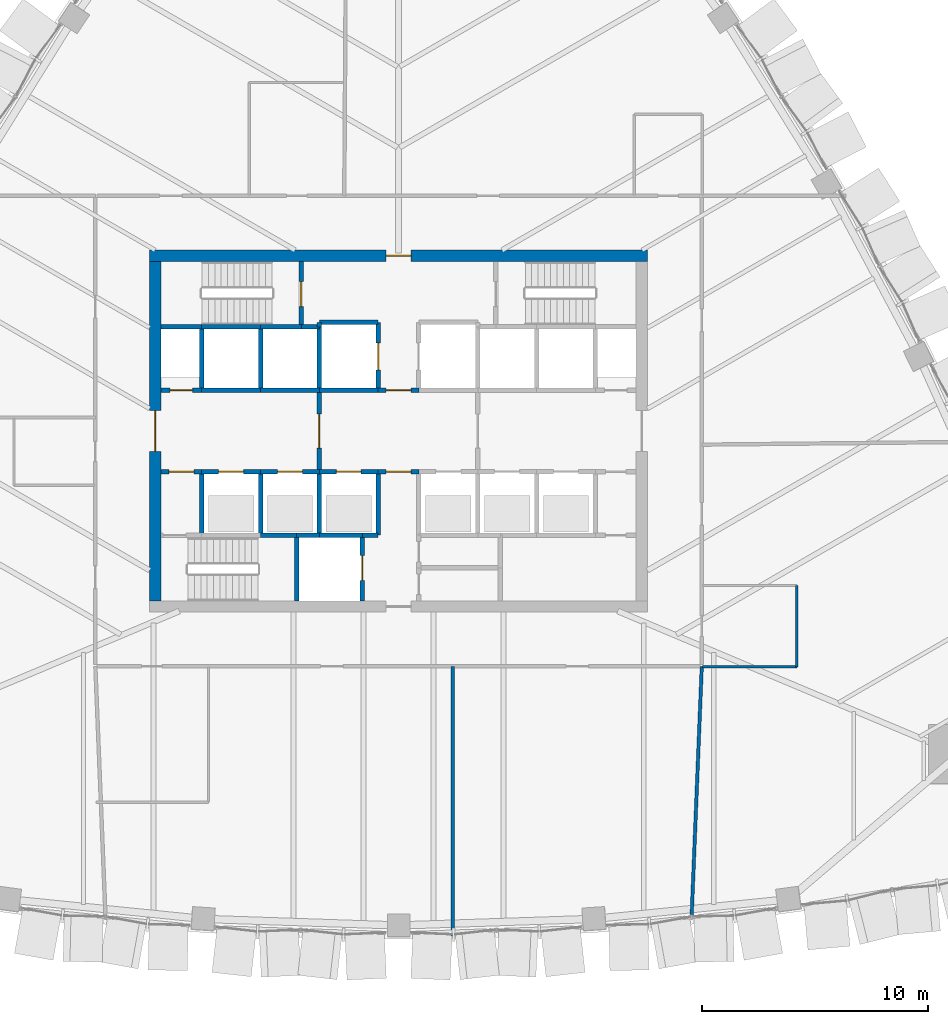
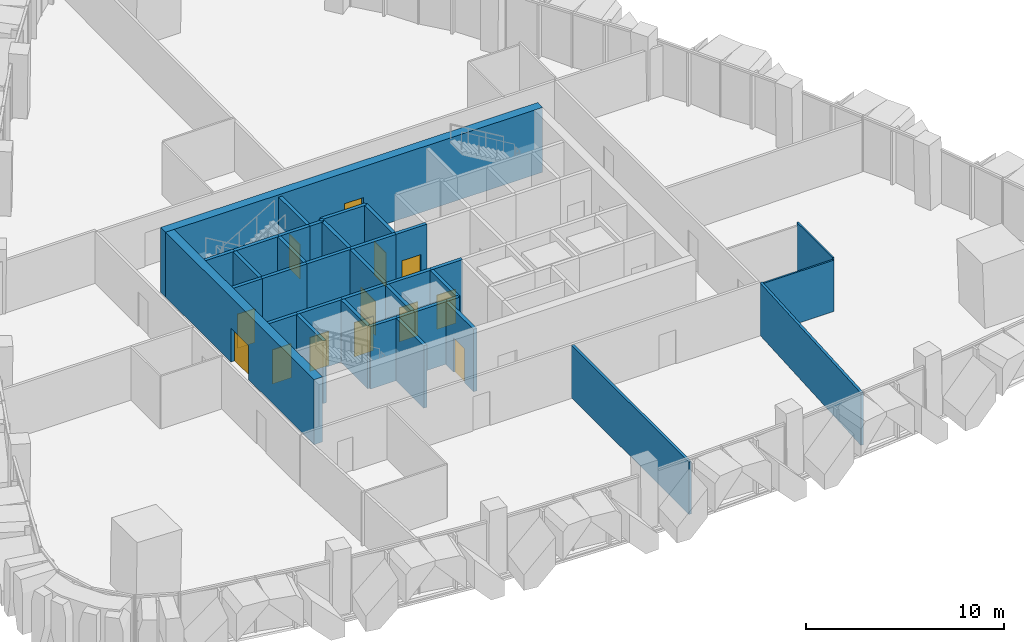
# One storey, part 12 of 18: 38 walls, 13 doors, 13 openings.
"""IFC4 building model written with IfcOpenShell, lengths in metres."""

from ifc_helpers import new_model, si_unit, direction, frame, frame_2d, origin, place, context, subcontext, project, spatial, rectangle, extrude, material, layer, layer_set, type_object, element, fill, save


model = new_model("IFC4")

# Units and contexts
model_context = context("Model", 3, precision=1e-05, world=origin(), true_north=direction((0.0, 1.0)))
body_context = subcontext(model_context, "Body", "Model", "MODEL_VIEW")
ifc_project = project(units=[si_unit("LENGTHUNIT", "METRE"), si_unit("AREAUNIT", "SQUARE_METRE"), si_unit("VOLUMEUNIT", "CUBIC_METRE"), si_unit("PLANEANGLEUNIT", "RADIAN"), si_unit("MASSUNIT", "GRAM", prefix="KILO")], contexts=[model_context])

# Site, building, storey
site_placement = place(None, origin())
site = spatial("IfcSite", under=ifc_project, at=site_placement, CompositionType="ELEMENT")
building_placement = place(site_placement, origin())
building = spatial("IfcBuilding", under=site, at=building_placement, Name="Sierra Prisma Convention Tower", CompositionType="ELEMENT")
storey_placement = place(building_placement, frame((0.0, 0.0, 137.800048828125)))
storey = spatial("IfcBuildingStorey", under=building, at=storey_placement, Name="L29", CompositionType="ELEMENT", Elevation=137.800048828125)

# Walls
ifc_material_1 = material(Name="Gypsum board partition", Category="gypsum")
ifc_layer_1 = layer(ifc_material_1, 0.10009765625)
ifc_layer_set_1 = layer_set([ifc_layer_1], Name="Bathroom partition 100")
wall_type_1 = type_object("IfcWallType", Name="Bathroom partition 100", PredefinedType="PARTITIONING", material=ifc_layer_set_1)
wall_1_placement = place(storey_placement, frame((17.60009765625, -6.820068359375, 0.0), z_axis=(0.0, 0.0, 1.0), x_axis=(0.0, -1.0, 0.0)))
element("IfcWall", 1, at=wall_1_placement, inside=storey, type_object=wall_type_1, Name="Partition L29 bath 11", PredefinedType="PARTITIONING", context=body_context, shape_type="SweptSolid", body=[
    extrude(rectangle(XDim=3.599853515625, YDim=0.10009765625, at=frame_2d((1.7998046875, 0.0))), origin(), (0.0, 0.0, 1.0), 3.300048828125),
])
wall_2_placement = place(storey_placement, frame((17.60009765625, -10.419921875, 0.0), z_axis=(0.0, 0.0, 1.0), x_axis=(-1.0, 0.0, 0.0)))
element("IfcWall", 2, at=wall_2_placement, inside=storey, type_object=wall_type_1, Name="Partition L29 bath 12", PredefinedType="PARTITIONING", context=body_context, shape_type="SweptSolid", body=[
    extrude(rectangle(XDim=4.170166015625, YDim=0.10009765625, at=frame_2d((2.0849609375, 0.0))), origin(), (0.0, 0.0, 1.0), 3.166015625),
])

# Wall, opening, door
ifc_material_2 = material(Name="Concrete C30/37", Category="concrete")
ifc_layer_2 = layer(ifc_material_2, 0.199951171875)
ifc_layer_set_2 = layer_set([ifc_layer_2], Name="Core wall RC 200 C30/37")
wall_type_2 = type_object("IfcWallType", Name="Core wall RC 200 C30/37", PredefinedType="SOLIDWALL", material=ifc_layer_set_2)
wall_3_placement = place(storey_placement, frame((-10.5, -1.800048828125, 0.0), z_axis=(0.0, 0.0, 1.0), x_axis=(1.0, 0.0, 0.0)))
wall_3 = element("IfcWall", 3, at=wall_3_placement, inside=storey, type_object=wall_type_2, Name="Core wall L29 2", PredefinedType="SOLIDWALL", context=body_context, shape_type="SweptSolid", body=[
    extrude(rectangle(XDim=1.800048828125, YDim=0.199951171875, at=frame_2d((0.89990234375, 0.0))), origin(), (0.0, 0.0, 1.0), 3.849853515625),
])
opening_1_placement = place(wall_3_placement, frame((0.35009765625, 0.0, 0.0)))
opening_1 = element("IfcOpeningElement", 4, at=opening_1_placement, cuts=wall_3, Name="Opening L29-D012", PredefinedType="OPENING", context=body_context, shape_type="SweptSolid", body=[
    extrude(rectangle(XDim=1.10009765625, YDim=2.10009765625, at=frame_2d((0.550048828125, 1.050048828125))), frame((0.0, 0.10009765625, 0.0), z_axis=(0.0, -1.0, 0.0), x_axis=(1.0, 0.0, 0.0)), (0.0, 0.0, 1.0), 0.199951171875),
])
ifc_material_3 = material(Name="Steel fire door leaf", Category="steel")
door_type_1 = type_object("IfcDoorType", Name="Door 1100x2100 FD90S", OperationType="SINGLE_SWING_LEFT", PredefinedType="DOOR", material=ifc_material_3)
door_1_placement = place(opening_1_placement, origin())
door_1 = element("IfcDoor", 5, at=door_1_placement, inside=storey, type_object=door_type_1, Name="Door L29 25", OperationType="SINGLE_SWING_RIGHT", OverallHeight=2.10009765625, OverallWidth=1.10009765625, PredefinedType="DOOR", context=body_context, shape_type="SweptSolid", body=[
    extrude(rectangle(XDim=1.10009765625, YDim=2.10009765625, at=frame_2d((0.550048828125, 1.050048828125))), frame((0.0, 0.02490234375, 0.0), z_axis=(0.0, -1.0, 0.0), x_axis=(1.0, 0.0, 0.0)), (0.0, 0.0, 1.0), 0.050048828125),
])
fill(opening_1, door_1)

wall_4_placement = place(storey_placement, frame((-8.699951171875, 1.800048828125, 0.0), z_axis=(0.0, 0.0, 1.0), x_axis=(-1.0, 0.0, 0.0)))
wall_4 = element("IfcWall", 6, at=wall_4_placement, inside=storey, type_object=wall_type_2, Name="Core wall L29 3", PredefinedType="SOLIDWALL", context=body_context, shape_type="SweptSolid", body=[
    extrude(rectangle(XDim=1.800048828125, YDim=0.199951171875, at=frame_2d((0.89990234375, 0.0))), origin(), (0.0, 0.0, 1.0), 3.849853515625),
])
opening_2_placement = place(wall_4_placement, frame((0.39990234375, 0.0, 0.0)))
opening_2 = element("IfcOpeningElement", 7, at=opening_2_placement, cuts=wall_4, Name="Opening L29-D015", PredefinedType="OPENING", context=body_context, shape_type="SweptSolid", body=[
    extrude(rectangle(XDim=1.0, YDim=2.10009765625, at=frame_2d((0.5, 1.050048828125))), frame((0.0, 0.10009765625, 0.0), z_axis=(0.0, -1.0, 0.0), x_axis=(1.0, 0.0, 0.0)), (0.0, 0.0, 1.0), 0.199951171875),
])
ifc_material_4 = material(Name="Steel fire door leaf", Category="steel")
door_type_2 = type_object("IfcDoorType", Name="Door 1000x2100 FD60S", OperationType="SINGLE_SWING_LEFT", PredefinedType="DOOR", material=ifc_material_4)
door_2_placement = place(opening_2_placement, origin())
door_2 = element("IfcDoor", 8, at=door_2_placement, inside=storey, type_object=door_type_2, Name="Door L29 28", OperationType="SINGLE_SWING_LEFT", OverallHeight=2.10009765625, OverallWidth=1.0, PredefinedType="DOOR", context=body_context, shape_type="SweptSolid", body=[
    extrude(rectangle(XDim=1.0, YDim=2.10009765625, at=frame_2d((0.5, 1.050048828125))), frame((0.0, 0.02490234375, 0.0), z_axis=(0.0, -1.0, 0.0), x_axis=(1.0, 0.0, 0.0)), (0.0, 0.0, 1.0), 0.050048828125),
])
fill(opening_2, door_2)

# Walls
wall_5_placement = place(storey_placement, frame((-8.699951171875, 4.60009765625, 0.0), z_axis=(0.0, 0.0, 1.0), x_axis=(-1.0, 0.0, 0.0)))
element("IfcWall", 9, at=wall_5_placement, inside=storey, type_object=wall_type_2, Name="Core wall L29 4", PredefinedType="SOLIDWALL", context=body_context, shape_type="SweptSolid", body=[
    extrude(rectangle(XDim=1.800048828125, YDim=0.199951171875, at=frame_2d((0.89990234375, 0.0))), origin(), (0.0, 0.0, 1.0), 3.849853515625),
])
wall_6_placement = place(storey_placement, frame((-8.699951171875, -4.60009765625, 0.0), z_axis=(0.0, 0.0, 1.0), x_axis=(0.0, 1.0, 0.0)))
element("IfcWall", 10, at=wall_6_placement, inside=storey, type_object=wall_type_2, Name="Core wall L29 6", PredefinedType="SOLIDWALL", context=body_context, shape_type="SweptSolid", body=[
    extrude(rectangle(XDim=2.800048828125, YDim=0.199951171875, at=frame_2d((1.39990234375, 0.0))), origin(), (0.0, 0.0, 1.0), 3.849853515625),
])

# Wall, opening, door
wall_7_placement = place(storey_placement, frame((-8.699951171875, -1.800048828125, 0.0), z_axis=(0.0, 0.0, 1.0), x_axis=(1.0, 0.0, 0.0)))
wall_7 = element("IfcWall", 11, at=wall_7_placement, inside=storey, type_object=wall_type_2, Name="Core wall L29 7", PredefinedType="SOLIDWALL", context=body_context, shape_type="SweptSolid", body=[
    extrude(rectangle(XDim=2.599853515625, YDim=0.199951171875, at=frame_2d((1.2998046875, 0.0))), origin(), (0.0, 0.0, 1.0), 3.849853515625),
])
opening_3_placement = place(wall_7_placement, frame((0.75, 0.0, 0.0)))
opening_3 = element("IfcOpeningElement", 12, at=opening_3_placement, cuts=wall_7, Name="Opening L29-D001", PredefinedType="OPENING", context=body_context, shape_type="SweptSolid", body=[
    extrude(rectangle(XDim=1.10009765625, YDim=2.10009765625, at=frame_2d((0.550048828125, 1.050048828125))), frame((0.0, 0.10009765625, 0.0), z_axis=(0.0, -1.0, 0.0), x_axis=(1.0, 0.0, 0.0)), (0.0, 0.0, 1.0), 0.199951171875),
])
ifc_material_5 = material(Name="Steel fire door leaf", Category="steel")
door_type_3 = type_object("IfcDoorType", Name="Door 1100x2100 EI 90 sliding lift landing", OperationType="SLIDING_TO_LEFT", PredefinedType="DOOR", material=ifc_material_5)
door_3_placement = place(opening_3_placement, origin())
door_3 = element("IfcDoor", 13, at=door_3_placement, inside=storey, type_object=door_type_3, Name="Door L29 14", OperationType="SLIDING_TO_LEFT", OverallHeight=2.10009765625, OverallWidth=1.10009765625, PredefinedType="DOOR", context=body_context, shape_type="SweptSolid", body=[
    extrude(rectangle(XDim=1.10009765625, YDim=2.10009765625, at=frame_2d((0.550048828125, 1.050048828125))), frame((0.0, 0.02490234375, 0.0), z_axis=(0.0, -1.0, 0.0), x_axis=(1.0, 0.0, 0.0)), (0.0, 0.0, 1.0), 0.050048828125),
])
fill(opening_3, door_3)

# Walls
wall_8_placement = place(storey_placement, frame((-6.10009765625, 1.800048828125, 0.0), z_axis=(0.0, 0.0, 1.0), x_axis=(-1.0, 0.0, 0.0)))
element("IfcWall", 14, at=wall_8_placement, inside=storey, type_object=wall_type_2, Name="Core wall L29 8", PredefinedType="SOLIDWALL", context=body_context, shape_type="SweptSolid", body=[
    extrude(rectangle(XDim=2.599853515625, YDim=0.199951171875, at=frame_2d((1.2998046875, 0.0))), origin(), (0.0, 0.0, 1.0), 3.849853515625),
])
wall_9_placement = place(storey_placement, frame((-8.699951171875, 1.800048828125, 0.0), z_axis=(0.0, 0.0, 1.0), x_axis=(0.0, 1.0, 0.0)))
element("IfcWall", 15, at=wall_9_placement, inside=storey, type_object=wall_type_2, Name="Core wall L29 9", PredefinedType="SOLIDWALL", context=body_context, shape_type="SweptSolid", body=[
    extrude(rectangle(XDim=2.800048828125, YDim=0.199951171875, at=frame_2d((1.39990234375, 0.0))), origin(), (0.0, 0.0, 1.0), 3.849853515625),
])
wall_10_placement = place(storey_placement, frame((-6.10009765625, 4.60009765625, 0.0), z_axis=(0.0, 0.0, 1.0), x_axis=(-1.0, 0.0, 0.0)))
element("IfcWall", 16, at=wall_10_placement, inside=storey, type_object=wall_type_2, Name="Core wall L29 10", PredefinedType="SOLIDWALL", context=body_context, shape_type="SweptSolid", body=[
    extrude(rectangle(XDim=2.599853515625, YDim=0.199951171875, at=frame_2d((1.2998046875, 0.0))), origin(), (0.0, 0.0, 1.0), 3.849853515625),
])
wall_11_placement = place(storey_placement, frame((-6.10009765625, -4.60009765625, 0.0), z_axis=(0.0, 0.0, 1.0), x_axis=(1.0, 0.0, 0.0)))
element("IfcWall", 17, at=wall_11_placement, inside=storey, type_object=wall_type_2, Name="Core wall L29 11", PredefinedType="SOLIDWALL", context=body_context, shape_type="SweptSolid", body=[
    extrude(rectangle(XDim=1.60009765625, YDim=0.199951171875, at=frame_2d((0.800048828125, 0.0))), origin(), (0.0, 0.0, 1.0), 3.849853515625),
])
wall_12_placement = place(storey_placement, frame((-6.10009765625, -4.60009765625, 0.0), z_axis=(0.0, 0.0, 1.0), x_axis=(0.0, 1.0, 0.0)))
element("IfcWall", 18, at=wall_12_placement, inside=storey, type_object=wall_type_2, Name="Core wall L29 12", PredefinedType="SOLIDWALL", context=body_context, shape_type="SweptSolid", body=[
    extrude(rectangle(XDim=2.800048828125, YDim=0.199951171875, at=frame_2d((1.39990234375, 0.0))), origin(), (0.0, 0.0, 1.0), 3.849853515625),
])

# Wall, opening, door
wall_13_placement = place(storey_placement, frame((-6.10009765625, -1.800048828125, 0.0), z_axis=(0.0, 0.0, 1.0), x_axis=(1.0, 0.0, 0.0)))
wall_13 = element("IfcWall", 19, at=wall_13_placement, inside=storey, type_object=wall_type_2, Name="Core wall L29 13", PredefinedType="SOLIDWALL", context=body_context, shape_type="SweptSolid", body=[
    extrude(rectangle(XDim=2.60009765625, YDim=0.199951171875, at=frame_2d((1.300048828125, 0.0))), origin(), (0.0, 0.0, 1.0), 3.849853515625),
])
opening_4_placement = place(wall_13_placement, frame((0.75, 0.0, 0.0)))
opening_4 = element("IfcOpeningElement", 20, at=opening_4_placement, cuts=wall_13, Name="Opening L29-D002", PredefinedType="OPENING", context=body_context, shape_type="SweptSolid", body=[
    extrude(rectangle(XDim=1.10009765625, YDim=2.10009765625, at=frame_2d((0.550048828125, 1.050048828125))), frame((0.0, 0.10009765625, 0.0), z_axis=(0.0, -1.0, 0.0), x_axis=(1.0, 0.0, 0.0)), (0.0, 0.0, 1.0), 0.199951171875),
])
door_4_placement = place(opening_4_placement, origin())
door_4 = element("IfcDoor", 21, at=door_4_placement, inside=storey, type_object=door_type_3, Name="Door L29 15", OperationType="SLIDING_TO_LEFT", OverallHeight=2.10009765625, OverallWidth=1.10009765625, PredefinedType="DOOR", context=body_context, shape_type="SweptSolid", body=[
    extrude(rectangle(XDim=1.10009765625, YDim=2.10009765625, at=frame_2d((0.550048828125, 1.050048828125))), frame((0.0, 0.02490234375, 0.0), z_axis=(0.0, -1.0, 0.0), x_axis=(1.0, 0.0, 0.0)), (0.0, 0.0, 1.0), 0.050048828125),
])
fill(opening_4, door_4)

# Walls
wall_14_placement = place(storey_placement, frame((-3.5, 1.800048828125, 0.0), z_axis=(0.0, 0.0, 1.0), x_axis=(-1.0, 0.0, 0.0)))
element("IfcWall", 22, at=wall_14_placement, inside=storey, type_object=wall_type_2, Name="Core wall L29 14", PredefinedType="SOLIDWALL", context=body_context, shape_type="SweptSolid", body=[
    extrude(rectangle(XDim=2.60009765625, YDim=0.199951171875, at=frame_2d((1.300048828125, 0.0))), origin(), (0.0, 0.0, 1.0), 3.849853515625),
])
wall_15_placement = place(storey_placement, frame((-6.10009765625, 1.800048828125, 0.0), z_axis=(0.0, 0.0, 1.0), x_axis=(0.0, 1.0, 0.0)))
element("IfcWall", 23, at=wall_15_placement, inside=storey, type_object=wall_type_2, Name="Core wall L29 15", PredefinedType="SOLIDWALL", context=body_context, shape_type="SweptSolid", body=[
    extrude(rectangle(XDim=2.800048828125, YDim=0.199951171875, at=frame_2d((1.39990234375, 0.0))), origin(), (0.0, 0.0, 1.0), 3.849853515625),
])
wall_16_placement = place(storey_placement, frame((-4.300048828125, 4.60009765625, 0.0), z_axis=(0.0, 0.0, 1.0), x_axis=(-1.0, 0.0, 0.0)))
element("IfcWall", 24, at=wall_16_placement, inside=storey, type_object=wall_type_2, Name="Core wall L29 16", PredefinedType="SOLIDWALL", context=body_context, shape_type="SweptSolid", body=[
    extrude(rectangle(XDim=1.800048828125, YDim=0.199951171875, at=frame_2d((0.89990234375, 0.0))), origin(), (0.0, 0.0, 1.0), 3.849853515625),
])
wall_17_placement = place(storey_placement, frame((-4.5, -4.60009765625, 0.0), z_axis=(0.0, 0.0, 1.0), x_axis=(0.0, -1.0, 0.0)))
element("IfcWall", 25, at=wall_17_placement, inside=storey, type_object=wall_type_2, Name="Core wall L29 17", PredefinedType="SOLIDWALL", context=body_context, shape_type="SweptSolid", body=[
    extrude(rectangle(XDim=2.89990234375, YDim=0.199951171875, at=frame_2d((1.449951171875, 0.0))), origin(), (0.0, 0.0, 1.0), 3.849853515625),
])
wall_18_placement = place(storey_placement, frame((-4.5, -4.60009765625, 0.0), z_axis=(0.0, 0.0, 1.0), x_axis=(1.0, 0.0, 0.0)))
element("IfcWall", 26, at=wall_18_placement, inside=storey, type_object=wall_type_2, Name="Core wall L29 18", PredefinedType="SOLIDWALL", context=body_context, shape_type="SweptSolid", body=[
    extrude(rectangle(XDim=1.0, YDim=0.199951171875, at=frame_2d((0.5, 0.0))), origin(), (0.0, 0.0, 1.0), 3.849853515625),
])
wall_19_placement = place(storey_placement, frame((-3.5, 4.60009765625, 0.0), z_axis=(0.0, 0.0, 1.0), x_axis=(-1.0, 0.0, 0.0)))
element("IfcWall", 27, at=wall_19_placement, inside=storey, type_object=wall_type_2, Name="Core wall L29 19", PredefinedType="SOLIDWALL", context=body_context, shape_type="SweptSolid", body=[
    extrude(rectangle(XDim=0.800048828125, YDim=0.199951171875, at=frame_2d((0.39990234375, 0.0))), origin(), (0.0, 0.0, 1.0), 3.849853515625),
])

# Wall, opening, door
wall_20_placement = place(storey_placement, frame((-4.300048828125, 4.60009765625, 0.0), z_axis=(0.0, 0.0, 1.0), x_axis=(0.0, 1.0, 0.0)))
wall_20 = element("IfcWall", 28, at=wall_20_placement, inside=storey, type_object=wall_type_2, Name="Core wall L29 20", PredefinedType="SOLIDWALL", context=body_context, shape_type="SweptSolid", body=[
    extrude(rectangle(XDim=2.89990234375, YDim=0.199951171875, at=frame_2d((1.449951171875, 0.0))), origin(), (0.0, 0.0, 1.0), 3.849853515625),
])
opening_5_placement = place(wall_20_placement, frame((0.89990234375, 0.0, 0.0)))
opening_5 = element("IfcOpeningElement", 29, at=opening_5_placement, cuts=wall_20, Name="Opening L29-D018", PredefinedType="OPENING", context=body_context, shape_type="SweptSolid", body=[
    extrude(rectangle(XDim=1.10009765625, YDim=2.10009765625, at=frame_2d((0.550048828125, 1.050048828125))), frame((0.0, 0.10009765625, 0.0), z_axis=(0.0, -1.0, 0.0), x_axis=(1.0, 0.0, 0.0)), (0.0, 0.0, 1.0), 0.199951171875),
])
door_5_placement = place(opening_5_placement, origin())
door_5 = element("IfcDoor", 30, at=door_5_placement, inside=storey, type_object=door_type_1, Name="Door L29 31", OperationType="SINGLE_SWING_LEFT", OverallHeight=2.10009765625, OverallWidth=1.10009765625, PredefinedType="DOOR", context=body_context, shape_type="SweptSolid", body=[
    extrude(rectangle(XDim=1.10009765625, YDim=2.10009765625, at=frame_2d((0.550048828125, 1.050048828125))), frame((0.0, 0.02490234375, 0.0), z_axis=(0.0, -1.0, 0.0), x_axis=(1.0, 0.0, 0.0)), (0.0, 0.0, 1.0), 0.050048828125),
])
fill(opening_5, door_5)

# Walls
wall_21_placement = place(storey_placement, frame((-3.5, -4.60009765625, 0.0), z_axis=(0.0, 0.0, 1.0), x_axis=(1.0, 0.0, 0.0)))
element("IfcWall", 31, at=wall_21_placement, inside=storey, type_object=wall_type_2, Name="Core wall L29 21", PredefinedType="SOLIDWALL", context=body_context, shape_type="SweptSolid", body=[
    extrude(rectangle(XDim=1.89990234375, YDim=0.199951171875, at=frame_2d((0.949951171875, 0.0))), origin(), (0.0, 0.0, 1.0), 3.849853515625),
])
wall_22_placement = place(storey_placement, frame((-3.5, -4.60009765625, 0.0), z_axis=(0.0, 0.0, 1.0), x_axis=(0.0, 1.0, 0.0)))
element("IfcWall", 32, at=wall_22_placement, inside=storey, type_object=wall_type_2, Name="Core wall L29 22", PredefinedType="SOLIDWALL", context=body_context, shape_type="SweptSolid", body=[
    extrude(rectangle(XDim=2.800048828125, YDim=0.199951171875, at=frame_2d((1.39990234375, 0.0))), origin(), (0.0, 0.0, 1.0), 3.849853515625),
])

# Wall, opening, door
wall_23_placement = place(storey_placement, frame((-3.5, -1.800048828125, 0.0), z_axis=(0.0, 0.0, 1.0), x_axis=(1.0, 0.0, 0.0)))
wall_23 = element("IfcWall", 33, at=wall_23_placement, inside=storey, type_object=wall_type_2, Name="Core wall L29 23", PredefinedType="SOLIDWALL", context=body_context, shape_type="SweptSolid", body=[
    extrude(rectangle(XDim=2.60009765625, YDim=0.199951171875, at=frame_2d((1.300048828125, 0.0))), origin(), (0.0, 0.0, 1.0), 3.849853515625),
])
opening_6_placement = place(wall_23_placement, frame((0.75, 0.0, 0.0)))
opening_6 = element("IfcOpeningElement", 34, at=opening_6_placement, cuts=wall_23, Name="Opening L29-D003", PredefinedType="OPENING", context=body_context, shape_type="SweptSolid", body=[
    extrude(rectangle(XDim=1.10009765625, YDim=2.10009765625, at=frame_2d((0.550048828125, 1.050048828125))), frame((0.0, 0.10009765625, 0.0), z_axis=(0.0, -1.0, 0.0), x_axis=(1.0, 0.0, 0.0)), (0.0, 0.0, 1.0), 0.199951171875),
])
door_6_placement = place(opening_6_placement, origin())
door_6 = element("IfcDoor", 35, at=door_6_placement, inside=storey, type_object=door_type_3, Name="Door L29 16", OperationType="SLIDING_TO_RIGHT", OverallHeight=2.10009765625, OverallWidth=1.10009765625, PredefinedType="DOOR", context=body_context, shape_type="SweptSolid", body=[
    extrude(rectangle(XDim=1.10009765625, YDim=2.10009765625, at=frame_2d((0.550048828125, 1.050048828125))), frame((0.0, 0.02490234375, 0.0), z_axis=(0.0, -1.0, 0.0), x_axis=(1.0, 0.0, 0.0)), (0.0, 0.0, 1.0), 0.050048828125),
])
fill(opening_6, door_6)

wall_24_placement = place(storey_placement, frame((-3.5, 1.800048828125, 0.0), z_axis=(0.0, 0.0, 1.0), x_axis=(0.0, -1.0, 0.0)))
wall_24 = element("IfcWall", 36, at=wall_24_placement, inside=storey, type_object=wall_type_2, Name="Core wall L29 24", PredefinedType="SOLIDWALL", context=body_context, shape_type="SweptSolid", body=[
    extrude(rectangle(XDim=3.60009765625, YDim=0.199951171875, at=frame_2d((1.800048828125, 0.0))), origin(), (0.0, 0.0, 1.0), 3.849853515625),
])
opening_7_placement = place(wall_24_placement, frame((1.050048828125, 0.0, 0.0)))
opening_7 = element("IfcOpeningElement", 37, at=opening_7_placement, cuts=wall_24, Name="Opening L29-D010", PredefinedType="OPENING", context=body_context, shape_type="SweptSolid", body=[
    extrude(rectangle(XDim=1.5, YDim=2.10009765625, at=frame_2d((0.75, 1.050048828125))), frame((0.0, 0.10009765625, 0.0), z_axis=(0.0, -1.0, 0.0), x_axis=(1.0, 0.0, 0.0)), (0.0, 0.0, 1.0), 0.199951171875),
])
ifc_material_6 = material(Name="Steel fire door leaf", Category="steel")
door_type_4 = type_object("IfcDoorType", Name="Door 1500x2100 FD30S", OperationType="DOUBLE_DOOR_SINGLE_SWING", PredefinedType="DOOR", material=ifc_material_6)
door_7_placement = place(opening_7_placement, origin())
door_7 = element("IfcDoor", 38, at=door_7_placement, inside=storey, type_object=door_type_4, Name="Door L29 23", OperationType="DOUBLE_DOOR_SINGLE_SWING", OverallHeight=2.10009765625, OverallWidth=1.5, PredefinedType="DOOR", context=body_context, shape_type="SweptSolid", body=[
    extrude(rectangle(XDim=1.5, YDim=2.10009765625, at=frame_2d((0.75, 1.050048828125))), frame((0.0, 0.02490234375, 0.0), z_axis=(0.0, -1.0, 0.0), x_axis=(1.0, 0.0, 0.0)), (0.0, 0.0, 1.0), 0.050048828125),
])
fill(opening_7, door_7)

# Walls
wall_25_placement = place(storey_placement, frame((-0.89990234375, 1.800048828125, 0.0), z_axis=(0.0, 0.0, 1.0), x_axis=(-1.0, 0.0, 0.0)))
element("IfcWall", 39, at=wall_25_placement, inside=storey, type_object=wall_type_2, Name="Core wall L29 25", PredefinedType="SOLIDWALL", context=body_context, shape_type="SweptSolid", body=[
    extrude(rectangle(XDim=2.60009765625, YDim=0.199951171875, at=frame_2d((1.300048828125, 0.0))), origin(), (0.0, 0.0, 1.0), 3.849853515625),
])
wall_26_placement = place(storey_placement, frame((-3.5, 4.60009765625, 0.0), z_axis=(0.0, 0.0, 1.0), x_axis=(0.0, -1.0, 0.0)))
element("IfcWall", 40, at=wall_26_placement, inside=storey, type_object=wall_type_2, Name="Core wall L29 26", PredefinedType="SOLIDWALL", context=body_context, shape_type="SweptSolid", body=[
    extrude(rectangle(XDim=2.800048828125, YDim=0.199951171875, at=frame_2d((1.39990234375, 0.0))), origin(), (0.0, 0.0, 1.0), 3.849853515625),
])

# Wall, opening, door
wall_27_placement = place(storey_placement, frame((-0.89990234375, 1.800048828125, 0.0), z_axis=(0.0, 0.0, 1.0), x_axis=(0.0, 1.0, 0.0)))
wall_27 = element("IfcWall", 41, at=wall_27_placement, inside=storey, type_object=wall_type_2, Name="Core wall L29 27", PredefinedType="SOLIDWALL", context=body_context, shape_type="SweptSolid", body=[
    extrude(rectangle(XDim=3.0, YDim=0.199951171875, at=frame_2d((1.5, 0.0))), origin(), (0.0, 0.0, 1.0), 3.849853515625),
])
opening_8_placement = place(wall_27_placement, frame((0.89990234375, 0.0, 0.0)))
opening_8 = element("IfcOpeningElement", 42, at=opening_8_placement, cuts=wall_27, Name="Opening L29-D007", PredefinedType="OPENING", context=body_context, shape_type="SweptSolid", body=[
    extrude(rectangle(XDim=1.199951171875, YDim=2.10009765625, at=frame_2d((0.60009765625, 1.050048828125))), frame((0.0, 0.10009765625, 0.0), z_axis=(0.0, -1.0, 0.0), x_axis=(1.0, 0.0, 0.0)), (0.0, 0.0, 1.0), 0.199951171875),
])
ifc_material_7 = material(Name="Steel fire door leaf", Category="steel")
door_type_5 = type_object("IfcDoorType", Name="Door 1200x2100 EI 90 sliding lift landing", OperationType="SLIDING_TO_LEFT", PredefinedType="DOOR", material=ifc_material_7)
door_8_placement = place(opening_8_placement, origin())
door_8 = element("IfcDoor", 43, at=door_8_placement, inside=storey, type_object=door_type_5, Name="Door L29 20", OperationType="SLIDING_TO_RIGHT", OverallHeight=2.10009765625, OverallWidth=1.199951171875, PredefinedType="DOOR", context=body_context, shape_type="SweptSolid", body=[
    extrude(rectangle(XDim=1.199951171875, YDim=2.10009765625, at=frame_2d((0.60009765625, 1.050048828125))), frame((0.0, 0.02490234375, 0.0), z_axis=(0.0, -1.0, 0.0), x_axis=(1.0, 0.0, 0.0)), (0.0, 0.0, 1.0), 0.050048828125),
])
fill(opening_8, door_8)

# Walls
wall_28_placement = place(storey_placement, frame((-0.89990234375, 4.800048828125, 0.0), z_axis=(0.0, 0.0, 1.0), x_axis=(-1.0, 0.0, 0.0)))
element("IfcWall", 44, at=wall_28_placement, inside=storey, type_object=wall_type_2, Name="Core wall L29 28", PredefinedType="SOLIDWALL", context=body_context, shape_type="SweptSolid", body=[
    extrude(rectangle(XDim=2.60009765625, YDim=0.199951171875, at=frame_2d((1.300048828125, 0.0))), origin(), (0.0, 0.0, 1.0), 3.849853515625),
])
wall_29_placement = place(storey_placement, frame((-3.5, 4.800048828125, 0.0), z_axis=(0.0, 0.0, 1.0), x_axis=(0.0, -1.0, 0.0)))
element("IfcWall", 45, at=wall_29_placement, inside=storey, type_object=wall_type_2, Name="Core wall L29 29", PredefinedType="SOLIDWALL", context=body_context, shape_type="SweptSolid", body=[
    extrude(rectangle(XDim=0.199951171875, YDim=0.199951171875, at=frame_2d((0.10009765625, 0.0))), origin(), (0.0, 0.0, 1.0), 3.849853515625),
])

# Wall, opening, door
wall_30_placement = place(storey_placement, frame((-1.60009765625, -7.5, 0.0), z_axis=(0.0, 0.0, 1.0), x_axis=(0.0, 1.0, 0.0)))
wall_30 = element("IfcWall", 46, at=wall_30_placement, inside=storey, type_object=wall_type_2, Name="Core wall L29 30", PredefinedType="SOLIDWALL", context=body_context, shape_type="SweptSolid", body=[
    extrude(rectangle(XDim=2.89990234375, YDim=0.199951171875, at=frame_2d((1.449951171875, 0.0))), origin(), (0.0, 0.0, 1.0), 3.849853515625),
])
opening_9_placement = place(wall_30_placement, frame((0.89990234375, 0.0, 0.0)))
opening_9 = element("IfcOpeningElement", 47, at=opening_9_placement, cuts=wall_30, Name="Opening L29-D009", PredefinedType="OPENING", context=body_context, shape_type="SweptSolid", body=[
    extrude(rectangle(XDim=1.10009765625, YDim=2.10009765625, at=frame_2d((0.550048828125, 1.050048828125))), frame((0.0, 0.10009765625, 0.0), z_axis=(0.0, -1.0, 0.0), x_axis=(1.0, 0.0, 0.0)), (0.0, 0.0, 1.0), 0.199951171875),
])
door_9_placement = place(opening_9_placement, origin())
door_9 = element("IfcDoor", 48, at=door_9_placement, inside=storey, type_object=door_type_3, Name="Door L29 22", OperationType="SLIDING_TO_LEFT", OverallHeight=2.10009765625, OverallWidth=1.10009765625, PredefinedType="DOOR", context=body_context, shape_type="SweptSolid", body=[
    extrude(rectangle(XDim=1.10009765625, YDim=2.10009765625, at=frame_2d((0.550048828125, 1.050048828125))), frame((0.0, 0.02490234375, 0.0), z_axis=(0.0, -1.0, 0.0), x_axis=(1.0, 0.0, 0.0)), (0.0, 0.0, 1.0), 0.050048828125),
])
fill(opening_9, door_9)

# Walls
wall_31_placement = place(storey_placement, frame((-1.60009765625, -4.60009765625, 0.0), z_axis=(0.0, 0.0, 1.0), x_axis=(1.0, 0.0, 0.0)))
element("IfcWall", 49, at=wall_31_placement, inside=storey, type_object=wall_type_2, Name="Core wall L29 31", PredefinedType="SOLIDWALL", context=body_context, shape_type="SweptSolid", body=[
    extrude(rectangle(XDim=0.7001953125, YDim=0.199951171875, at=frame_2d((0.35009765625, 0.0))), origin(), (0.0, 0.0, 1.0), 3.849853515625),
])
wall_32_placement = place(storey_placement, frame((-0.89990234375, -4.60009765625, 0.0), z_axis=(0.0, 0.0, 1.0), x_axis=(0.0, 1.0, 0.0)))
element("IfcWall", 50, at=wall_32_placement, inside=storey, type_object=wall_type_2, Name="Core wall L29 32", PredefinedType="SOLIDWALL", context=body_context, shape_type="SweptSolid", body=[
    extrude(rectangle(XDim=2.800048828125, YDim=0.199951171875, at=frame_2d((1.39990234375, 0.0))), origin(), (0.0, 0.0, 1.0), 3.849853515625),
])

# Wall, opening, door
wall_33_placement = place(storey_placement, frame((-0.89990234375, -1.800048828125, 0.0), z_axis=(0.0, 0.0, 1.0), x_axis=(1.0, 0.0, 0.0)))
wall_33 = element("IfcWall", 51, at=wall_33_placement, inside=storey, type_object=wall_type_2, Name="Core wall L29 33", PredefinedType="SOLIDWALL", context=body_context, shape_type="SweptSolid", body=[
    extrude(rectangle(XDim=1.7998046875, YDim=0.199951171875, at=frame_2d((0.89990234375, 0.0))), origin(), (0.0, 0.0, 1.0), 3.849853515625),
])
opening_10_placement = place(wall_33_placement, frame((0.35009765625, 0.0, 0.0)))
opening_10 = element("IfcOpeningElement", 52, at=opening_10_placement, cuts=wall_33, Name="Opening L29-D014", PredefinedType="OPENING", context=body_context, shape_type="SweptSolid", body=[
    extrude(rectangle(XDim=1.10009765625, YDim=2.10009765625, at=frame_2d((0.550048828125, 1.050048828125))), frame((0.0, 0.10009765625, 0.0), z_axis=(0.0, -1.0, 0.0), x_axis=(1.0, 0.0, 0.0)), (0.0, 0.0, 1.0), 0.199951171875),
])
ifc_material_8 = material(Name="Steel fire door leaf", Category="steel")
door_type_6 = type_object("IfcDoorType", Name="Door 1100x2100 FD30S", OperationType="SINGLE_SWING_LEFT", PredefinedType="DOOR", material=ifc_material_8)
door_10_placement = place(opening_10_placement, origin())
door_10 = element("IfcDoor", 53, at=door_10_placement, inside=storey, type_object=door_type_6, Name="Door L29 27", OperationType="SINGLE_SWING_LEFT", OverallHeight=2.10009765625, OverallWidth=1.10009765625, PredefinedType="DOOR", context=body_context, shape_type="SweptSolid", body=[
    extrude(rectangle(XDim=1.10009765625, YDim=2.10009765625, at=frame_2d((0.550048828125, 1.050048828125))), frame((0.0, 0.02490234375, 0.0), z_axis=(0.0, -1.0, 0.0), x_axis=(1.0, 0.0, 0.0)), (0.0, 0.0, 1.0), 0.050048828125),
])
fill(opening_10, door_10)

wall_34_placement = place(storey_placement, frame((0.89990234375, 1.800048828125, 0.0), z_axis=(0.0, 0.0, 1.0), x_axis=(-1.0, 0.0, 0.0)))
wall_34 = element("IfcWall", 54, at=wall_34_placement, inside=storey, type_object=wall_type_2, Name="Core wall L29 34", PredefinedType="SOLIDWALL", context=body_context, shape_type="SweptSolid", body=[
    extrude(rectangle(XDim=1.7998046875, YDim=0.199951171875, at=frame_2d((0.89990234375, 0.0))), origin(), (0.0, 0.0, 1.0), 3.849853515625),
])
opening_11_placement = place(wall_34_placement, frame((0.35009765625, 0.0, 0.0)))
opening_11 = element("IfcOpeningElement", 55, at=opening_11_placement, cuts=wall_34, Name="Opening L29-D013", PredefinedType="OPENING", context=body_context, shape_type="SweptSolid", body=[
    extrude(rectangle(XDim=1.10009765625, YDim=2.10009765625, at=frame_2d((0.550048828125, 1.050048828125))), frame((0.0, 0.10009765625, 0.0), z_axis=(0.0, -1.0, 0.0), x_axis=(1.0, 0.0, 0.0)), (0.0, 0.0, 1.0), 0.199951171875),
])
ifc_material_9 = material(Name="Steel fire door leaf", Category="steel")
door_type_7 = type_object("IfcDoorType", Name="Door 1100x2100 FD60S", OperationType="SINGLE_SWING_LEFT", PredefinedType="DOOR", material=ifc_material_9)
door_11_placement = place(opening_11_placement, origin())
door_11 = element("IfcDoor", 56, at=door_11_placement, inside=storey, type_object=door_type_7, Name="Door L29 26", OperationType="SINGLE_SWING_LEFT", OverallHeight=2.10009765625, OverallWidth=1.10009765625, PredefinedType="DOOR", context=body_context, shape_type="SweptSolid", body=[
    extrude(rectangle(XDim=1.10009765625, YDim=2.10009765625, at=frame_2d((0.550048828125, 1.050048828125))), frame((0.0, 0.02490234375, 0.0), z_axis=(0.0, -1.0, 0.0), x_axis=(1.0, 0.0, 0.0)), (0.0, 0.0, 1.0), 0.050048828125),
])
fill(opening_11, door_11)

ifc_material_10 = material(Name="Concrete C60/75", Category="concrete")
ifc_layer_3 = layer(ifc_material_10, 0.5)
ifc_layer_set_3 = layer_set([ifc_layer_3], Name="Core wall RC 500 C60/75")
wall_type_3 = type_object("IfcWallType", Name="Core wall RC 500 C60/75", PredefinedType="SHEAR", material=ifc_layer_set_3)
wall_35_placement = place(storey_placement, frame((-11.0, 7.75, 0.0), z_axis=(0.0, 0.0, 1.0), x_axis=(1.0, 0.0, 0.0)))
wall_35 = element("IfcWall", 57, at=wall_35_placement, inside=storey, type_object=wall_type_3, Name="Core wall N L29", PredefinedType="SHEAR", context=body_context, shape_type="SweptSolid", body=[
    extrude(rectangle(XDim=22.0, YDim=0.5, at=frame_2d((11.0, 0.0))), origin(), (0.0, 0.0, 1.0), 4.0),
])
opening_12_placement = place(wall_35_placement, frame((10.449951171875, 0.0, 0.0)))
opening_12 = element("IfcOpeningElement", 58, at=opening_12_placement, cuts=wall_35, Name="Opening L29-D038", PredefinedType="OPENING", context=body_context, shape_type="SweptSolid", body=[
    extrude(rectangle(XDim=1.10009765625, YDim=2.10009765625, at=frame_2d((0.550048828125, 1.050048828125))), frame((0.0, 0.25, 0.0), z_axis=(0.0, -1.0, 0.0), x_axis=(1.0, 0.0, 0.0)), (0.0, 0.0, 1.0), 0.5),
])
door_12_placement = place(opening_12_placement, origin())
door_12 = element("IfcDoor", 59, at=door_12_placement, inside=storey, type_object=door_type_7, Name="Door L29 39", OperationType="SINGLE_SWING_RIGHT", OverallHeight=2.10009765625, OverallWidth=1.10009765625, PredefinedType="DOOR", context=body_context, shape_type="SweptSolid", body=[
    extrude(rectangle(XDim=1.10009765625, YDim=2.10009765625, at=frame_2d((0.550048828125, 1.050048828125))), frame((0.0, 0.02490234375, 0.0), z_axis=(0.0, -1.0, 0.0), x_axis=(1.0, 0.0, 0.0)), (0.0, 0.0, 1.0), 0.050048828125),
])
fill(opening_12, door_12)

wall_36_placement = place(storey_placement, frame((-10.75, -7.5, 0.0), z_axis=(0.0, 0.0, 1.0), x_axis=(0.0, 1.0, 0.0)))
wall_36 = element("IfcWall", 60, at=wall_36_placement, inside=storey, type_object=wall_type_3, Name="Core wall W L29", PredefinedType="SHEAR", context=body_context, shape_type="SweptSolid", body=[
    extrude(rectangle(XDim=15.0, YDim=0.5, at=frame_2d((7.5, 0.0))), origin(), (0.0, 0.0, 1.0), 4.0),
])
opening_13_placement = place(wall_36_placement, frame((6.60009765625, 0.0, 0.0)))
opening_13 = element("IfcOpeningElement", 61, at=opening_13_placement, cuts=wall_36, Name="Opening L29-D040", PredefinedType="OPENING", context=body_context, shape_type="SweptSolid", body=[
    extrude(rectangle(XDim=1.800048828125, YDim=2.10009765625, at=frame_2d((0.89990234375, 1.050048828125))), frame((0.0, 0.25, 0.0), z_axis=(0.0, -1.0, 0.0), x_axis=(1.0, 0.0, 0.0)), (0.0, 0.0, 1.0), 0.5),
])
ifc_material_11 = material(Name="Steel fire door leaf", Category="steel")
door_type_8 = type_object("IfcDoorType", Name="Door 1800x2100 FD60S", OperationType="DOUBLE_DOOR_SINGLE_SWING", PredefinedType="DOOR", material=ifc_material_11)
door_13_placement = place(opening_13_placement, origin())
door_13 = element("IfcDoor", 62, at=door_13_placement, inside=storey, type_object=door_type_8, Name="Door L29 37", OperationType="DOUBLE_DOOR_SINGLE_SWING", OverallHeight=2.10009765625, OverallWidth=1.800048828125, PredefinedType="DOOR", context=body_context, shape_type="SweptSolid", body=[
    extrude(rectangle(XDim=1.800048828125, YDim=2.10009765625, at=frame_2d((0.89990234375, 1.050048828125))), frame((0.0, 0.02490234375, 0.0), z_axis=(0.0, -1.0, 0.0), x_axis=(1.0, 0.0, 0.0)), (0.0, 0.0, 1.0), 0.050048828125),
])
fill(opening_13, door_13)

# Walls
ifc_material_12 = material(Name="Gypsum board partition", Category="gypsum")
ifc_layer_4 = layer(ifc_material_12, 0.14990234375)
ifc_layer_set_4 = layer_set([ifc_layer_4], Name="Party wall 150 gypsum")
wall_type_4 = type_object("IfcWallType", Name="Party wall 150 gypsum", PredefinedType="PARTITIONING", material=ifc_layer_set_4)
wall_37_placement = place(storey_placement, frame((2.39990234375, -10.39990234375, 0.0), z_axis=(0.0, 0.0, 1.0), x_axis=(0.0, -1.0, 0.0)))
element("IfcWall", 63, at=wall_37_placement, inside=storey, type_object=wall_type_4, Name="Partition L29 party 5", PredefinedType="PARTITIONING", context=body_context, shape_type="SweptSolid", body=[
    extrude(rectangle(XDim=11.90380859375, YDim=0.14990234375, at=frame_2d((5.951904296875, 0.0))), origin(), (0.0, 0.0, 1.0), 3.23388671875),
])
wall_38_placement = place(storey_placement, frame((13.39990234375, -10.39990234375, 0.0), z_axis=(0.0, 0.0, 1.0), x_axis=(-0.040518361505, -0.999178794001, 0.0)))
element("IfcWall", 64, at=wall_38_placement, inside=storey, type_object=wall_type_4, Name="Partition L29 party 6", PredefinedType="PARTITIONING", context=body_context, shape_type="SweptSolid", body=[
    extrude(rectangle(XDim=10.984375, YDim=0.14990234375, at=frame_2d((5.4921875, 0.0))), origin(), (0.0, 0.0, 1.0), 3.23388671875),
])

save(model, "model.ifc")
